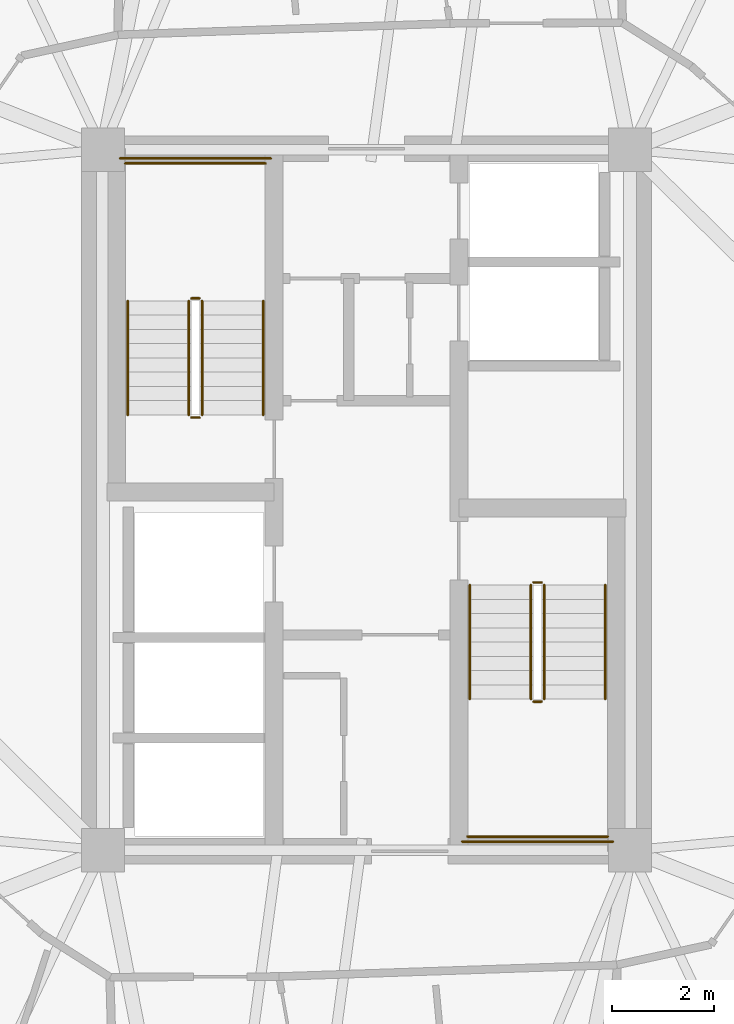
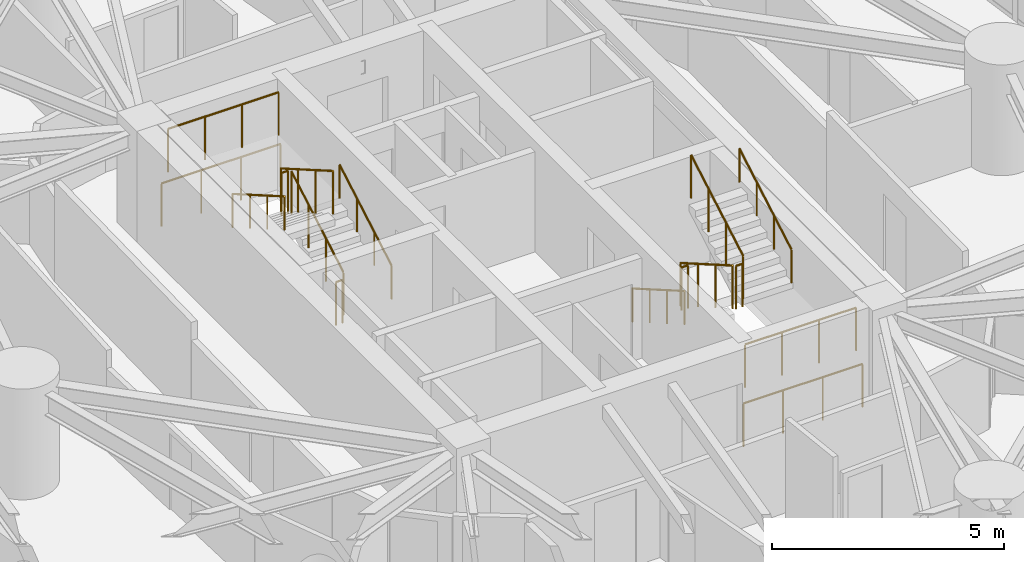
# One storey, part 17 of 18: 16 railings.
"""IFC4 building model written with IfcOpenShell, lengths in metres."""

import ifcopenshell
import ifcopenshell.guid

model = None  # the IFC model being written
_history = None  # IfcOwnerHistory: only IFC2X3 demands one
_inside = {}  # id of a spatial element -> (the spatial element, [elements in it])
_under = {}  # id of a project, library or spatial element -> (it, [spatial elements below it])
_declared = {}  # id of a project -> (the project, [libraries it declares])
_typed = {}  # id of a type object -> (the type object, [elements of that type])
_made_of = {}  # id of a material, layer set ... -> (it, [elements and type objects made of it])


def new_model(schema):
    """Start an empty IFC model of exactly this schema.

    Asked for "IFC4X3", IfcOpenShell would pick the latest addendum, in which some entities
    have other attributes; the version numbers below select the first issue.
    IFC2X3 requires an IfcOwnerHistory on every rooted entity: one is made here for all.
    """
    global model, _history
    if schema == "IFC4X3":
        model = ifcopenshell.file(schema_version=(4, 3, 0, 0))
    else:
        model = ifcopenshell.file(schema=schema)
    _inside.clear()
    _under.clear()
    _declared.clear()
    _typed.clear()
    _made_of.clear()
    _history = None
    if model.schema == "IFC2X3":
        org = make("IfcOrganization", Name="unknown")
        user = make(
            "IfcPersonAndOrganization",
            ThePerson=make("IfcPerson", FamilyName="unknown"),
            TheOrganization=org,
        )
        app = make(
            "IfcApplication",
            ApplicationDeveloper=org,
            Version="unknown",
            ApplicationFullName="unknown",
            ApplicationIdentifier="unknown",
        )
        _history = make(
            "IfcOwnerHistory",
            OwningUser=user,
            OwningApplication=app,
            ChangeAction="ADDED",
            CreationDate=0,
        )
    return model


def make(cls, **values):
    """One entity of the class cls with the attributes given. An attribute that is None is left unset."""
    return model.create_entity(
        cls, **{name: value for name, value in values.items() if value is not None}
    )


def rooted(cls, **values):
    """An entity with a GlobalId (a new one), such as an element, a storey or a relation."""
    return make(cls, GlobalId=ifcopenshell.guid.new(), OwnerHistory=_history, **values)


def si_unit(unit_type, name, prefix=None):
    """IfcSIUnit, for example si_unit("LENGTHUNIT", "METRE", prefix="MILLI")."""
    return make("IfcSIUnit", UnitType=unit_type, Prefix=prefix, Name=name)


def assignment(units):
    """IfcUnitAssignment: the units of a project."""
    return None if units is None else make("IfcUnitAssignment", Units=units)


def point(xyz):
    """IfcCartesianPoint."""
    return None if xyz is None else make("IfcCartesianPoint", Coordinates=xyz)


def direction(xyz):
    """IfcDirection."""
    return None if xyz is None else make("IfcDirection", DirectionRatios=xyz)


def frame(location, z_axis=None, x_axis=None):
    """IfcAxis2Placement3D, a coordinate frame: its origin and axes. An axis left out is left unset."""
    return make(
        "IfcAxis2Placement3D",
        Location=point(location),
        Axis=direction(z_axis),
        RefDirection=direction(x_axis),
    )


def frame_2d(location, x_axis=None):
    """IfcAxis2Placement2D, a coordinate frame in the plane: its origin and x axis."""
    return make(
        "IfcAxis2Placement2D", Location=point(location), RefDirection=direction(x_axis)
    )


def origin():
    """The frame at (0, 0, 0) with its axes left unset."""
    return frame((0.0, 0.0, 0.0))


def origin_2d():
    """The frame at (0, 0) in the plane with its x axis left unset."""
    return frame_2d((0.0, 0.0))


def place(relative_to, where):
    """IfcLocalPlacement: puts the frame where relative to a parent placement (None: the world)."""
    return make(
        "IfcLocalPlacement", PlacementRelTo=relative_to, RelativePlacement=where
    )


def context(
    kind, dimensions, precision=None, world=None, true_north=None, identifier=None
):
    """IfcGeometricRepresentationContext, for example the 3D "Model" context."""
    return make(
        "IfcGeometricRepresentationContext",
        ContextIdentifier=identifier,
        ContextType=kind,
        CoordinateSpaceDimension=dimensions,
        Precision=precision,
        WorldCoordinateSystem=world,
        TrueNorth=true_north,
    )


def subcontext(parent, identifier, kind, view, scale=None):
    """IfcGeometricRepresentationSubContext, for example "Body" below "Model"."""
    return make(
        "IfcGeometricRepresentationSubContext",
        ContextIdentifier=identifier,
        ContextType=kind,
        ParentContext=parent,
        TargetScale=scale,
        TargetView=view,
    )


def project(units=None, contexts=None):
    """IfcProject with its units and contexts."""
    return rooted(
        "IfcProject",
        Name="project",
        RepresentationContexts=contexts,
        UnitsInContext=assignment(units),
    )


def spatial(cls, under=None, at=None, **own):
    """A site, building, storey or space (cls), placed at a placement, below another one or the project."""
    s = rooted(cls, ObjectPlacement=at, **own)
    if under is not None:
        _under.setdefault(under.id(), (under, []))[1].append(s)
    return s


def profile(cls, at=None, kind="AREA", **sizes):
    """A parametric profile (cls). Its sizes go by their IFC names, for example OverallWidth=200.0."""
    return make(cls, ProfileType=kind, Position=at, **sizes)


def circle(**sizes):
    """IfcCircleProfileDef."""
    return profile("IfcCircleProfileDef", **sizes)


def extrude(swept, where, along, depth):
    """IfcExtrudedAreaSolid: the profile swept, set in the frame where, extruded along a direction by depth."""
    return make(
        "IfcExtrudedAreaSolid",
        SweptArea=swept,
        Position=where,
        ExtrudedDirection=direction(along),
        Depth=depth,
    )


def shape(context_of_items, identifier, shape_type, items):
    """IfcShapeRepresentation: the items that make up one representation, for example the "Body"."""
    return make(
        "IfcShapeRepresentation",
        ContextOfItems=context_of_items,
        RepresentationIdentifier=identifier,
        RepresentationType=shape_type,
        Items=items,
    )


def material(Name=None, Category=None):
    """IfcMaterial."""
    return make("IfcMaterial", Name=Name, Category=Category)


def made_of(thing, what):
    """Note that an element or type object is made of a material, layer set ...; save() writes the relation."""
    if what is not None:
        _made_of.setdefault(what.id(), (what, []))[1].append(thing)
    return thing


def type_object(cls, material=None, **own):
    """A type object (cls), such as IfcWallType, which elements share."""
    return made_of(rooted(cls, **own), material)


def element(
    cls,
    number,
    at=None,
    inside=None,
    cuts=None,
    type_object=None,
    material=None,
    context=None,
    identifier="Body",
    shape_type=None,
    held_by="IfcProductDefinitionShape",
    body=None,
    shapes=None,
    **own,
):
    """One element of the class cls, such as IfcWall. Its Tag is "e" and its number.

    at: its placement. inside: the storey or other place that contains it. cuts: it is an
    opening in that element (IfcRelVoidsElement). A single representation is given by context,
    identifier, shape_type and body (its items); several are given by shapes. held_by: the class
    of the entity that holds the representations. save() writes the other relations.
    """
    e = rooted(cls, Tag="e%d" % number, ObjectPlacement=at, **own)
    if body is not None:
        shapes = [shape(context, identifier, shape_type, body)]
    if shapes is not None:
        e.Representation = make(held_by, Representations=shapes)
    if inside is not None:
        _inside.setdefault(inside.id(), (inside, []))[1].append(e)
    if cuts is not None:
        rooted(
            "IfcRelVoidsElement", RelatingBuildingElement=cuts, RelatedOpeningElement=e
        )
    if type_object is not None:
        _typed.setdefault(type_object.id(), (type_object, []))[1].append(e)
    return made_of(e, material)


def aggregate(whole, parts):
    """IfcRelAggregates: a whole, such as a stair, and the parts it consists of."""
    return rooted("IfcRelAggregates", RelatingObject=whole, RelatedObjects=parts)


def save(model, path):
    """Write the relations noted so far, then the file.

    IfcRelAggregates (storeys below a building ...), IfcRelContainedInSpatialStructure (elements
    in a storey), IfcRelDefinesByType, IfcRelAssociatesMaterial and IfcRelDeclares: one each for
    every whole, place, type object, material and project.
    """
    for whole, parts in _under.values():
        aggregate(whole, parts)
    for where, things in _inside.values():
        rooted(
            "IfcRelContainedInSpatialStructure",
            RelatedElements=things,
            RelatingStructure=where,
        )
    for kind, things in _typed.values():
        rooted("IfcRelDefinesByType", RelatedObjects=things, RelatingType=kind)
    for what, things in _made_of.values():
        rooted("IfcRelAssociatesMaterial", RelatedObjects=things, RelatingMaterial=what)
    for by, libraries in _declared.values():
        rooted("IfcRelDeclares", RelatingContext=by, RelatedDefinitions=libraries)
    model.write(path)


model = new_model("IFC4")

# Units and contexts
model_context = context("Model", 3, precision=1e-05, world=origin(), true_north=direction((0.0, 1.0)))
body_context = subcontext(model_context, "Body", "Model", "MODEL_VIEW")
ifc_project = project(units=[si_unit("LENGTHUNIT", "METRE"), si_unit("AREAUNIT", "SQUARE_METRE"), si_unit("VOLUMEUNIT", "CUBIC_METRE"), si_unit("PLANEANGLEUNIT", "RADIAN"), si_unit("MASSUNIT", "GRAM", prefix="KILO")], contexts=[model_context])

# Site, building, storey
site_placement = place(None, origin())
site = spatial("IfcSite", under=ifc_project, at=site_placement, CompositionType="ELEMENT")
building_placement = place(site_placement, origin())
building = spatial("IfcBuilding", under=site, at=building_placement, Name="Cununo Teusaquillo Station Towers", CompositionType="ELEMENT")
storey_placement = place(building_placement, frame((0.0, 0.0, 45.280029296875)))
storey = spatial("IfcBuildingStorey", under=building, at=storey_placement, Name="L13", CompositionType="ELEMENT", Elevation=45.280029296875)

# Railings
ifc_material_1 = material(Name="Steel EN 10025-2 S355J2", Category="steel")
railing_type_1 = type_object("IfcRailingType", Name="RL-INT-GUARD", PredefinedType="GUARDRAIL", material=ifc_material_1)
railing_1_placement = place(storey_placement, frame((13.27001953125, 26.169921875, 0.16162109375)))
element("IfcRailing", 1, at=railing_1_placement, inside=storey, type_object=railing_type_1, Name="L13 ST-T1-1 stair guard 1", PredefinedType="GUARDRAIL", context=body_context, shape_type="SweptSolid", body=[
    extrude(circle(Radius=0.02392578125, at=origin_2d()), frame((0.0, 0.0, 1.1259765625), z_axis=(0.0, 0.865992244559, 0.500057429065), x_axis=(-1.0, 0.0, 0.0)), (0.0, 0.0, 1.0), 2.586669921875),
    extrude(circle(Radius=0.02099609375, at=origin_2d()), origin(), (0.0, 0.0, 1.0), 1.101806640625),
    extrude(circle(Radius=0.02099609375, at=origin_2d()), frame((0.0, 0.74658203125, 0.43115234375)), (0.0, 0.0, 1.0), 1.101806640625),
    extrude(circle(Radius=0.02099609375, at=origin_2d()), frame((0.0, 1.493408203125, 0.8623046875)), (0.0, 0.0, 1.0), 1.101806640625),
    extrude(circle(Radius=0.02099609375, at=origin_2d()), frame((0.0, 2.239990234375, 1.29345703125)), (0.0, 0.0, 1.0), 1.101806640625),
])
railing_2_placement = place(storey_placement, frame((13.219970703125, 28.4599609375, 1.455078125)))
element("IfcRailing", 2, at=railing_2_placement, inside=storey, type_object=railing_type_1, Name="L13 ST-T1-1 stair guard 2", PredefinedType="GUARDRAIL", context=body_context, shape_type="SweptSolid", body=[
    extrude(circle(Radius=0.02392578125, at=origin_2d()), frame((0.0, 0.0, 1.1259765625), z_axis=(-1.0, 0.0, 0.0), x_axis=(0.0, -1.0, 0.0)), (0.0, 0.0, 1.0), 0.159912109375),
    extrude(circle(Radius=0.02099609375, at=origin_2d()), origin(), (0.0, 0.0, 1.0), 1.101806640625),
    extrude(circle(Radius=0.02099609375, at=origin_2d()), frame((-0.159912109375, 0.0, 0.0)), (0.0, 0.0, 1.0), 1.101806640625),
])
railing_3_placement = place(storey_placement, frame((14.52001953125, 31.110107421875, 1.455078125)))
element("IfcRailing", 3, at=railing_3_placement, inside=storey, type_object=railing_type_1, Name="L13 ST-T1-1 stair guard 3", PredefinedType="GUARDRAIL", context=body_context, shape_type="SweptSolid", body=[
    extrude(circle(Radius=0.02392578125, at=origin_2d()), frame((0.0, 0.0, 1.1259765625), z_axis=(-1.0, 0.0, 0.0), x_axis=(0.0, -1.0, 0.0)), (0.0, 0.0, 1.0), 2.760009765625),
    extrude(circle(Radius=0.02099609375, at=origin_2d()), origin(), (0.0, 0.0, 1.0), 1.101806640625),
    extrude(circle(Radius=0.02099609375, at=origin_2d()), frame((-0.919921875, 0.0, 0.0)), (0.0, 0.0, 1.0), 1.101806640625),
    extrude(circle(Radius=0.02099609375, at=origin_2d()), frame((-1.840087890625, 0.0, 0.0)), (0.0, 0.0, 1.0), 1.101806640625),
    extrude(circle(Radius=0.02099609375, at=origin_2d()), frame((-2.760009765625, 0.0, 0.0)), (0.0, 0.0, 1.0), 1.101806640625),
])
railing_4_placement = place(storey_placement, frame((13.010009765625, 28.409912109375, 1.61669921875)))
element("IfcRailing", 4, at=railing_4_placement, inside=storey, type_object=railing_type_1, Name="L13 ST-T1-1 stair guard 4", PredefinedType="GUARDRAIL", context=body_context, shape_type="SweptSolid", body=[
    extrude(circle(Radius=0.02392578125, at=origin_2d()), frame((0.0, 0.0, 1.1259765625), z_axis=(0.0, -0.866033117094, 0.499986639918), x_axis=(1.0, 0.0, 0.0)), (0.0, 0.0, 1.0), 2.58642578125),
    extrude(circle(Radius=0.02099609375, at=origin_2d()), origin(), (0.0, 0.0, 1.0), 1.101806640625),
    extrude(circle(Radius=0.02099609375, at=origin_2d()), frame((0.0, -0.74658203125, 0.43115234375)), (0.0, 0.0, 1.0), 1.101806640625),
    extrude(circle(Radius=0.02099609375, at=origin_2d()), frame((0.0, -1.493408203125, 0.862060546875)), (0.0, 0.0, 1.0), 1.101806640625),
    extrude(circle(Radius=0.02099609375, at=origin_2d()), frame((0.0, -2.239990234375, 1.293212890625)), (0.0, 0.0, 1.0), 1.101806640625),
])
railing_5_placement = place(storey_placement, frame((13.219970703125, 26.1201171875, 0.0)))
element("IfcRailing", 5, at=railing_5_placement, inside=storey, type_object=railing_type_1, Name="L13 ST-T1-1 stair guard 5", PredefinedType="GUARDRAIL", context=body_context, shape_type="SweptSolid", body=[
    extrude(circle(Radius=0.02392578125, at=origin_2d()), frame((0.0, 0.0, 1.1259765625), z_axis=(-1.0, 0.0, 0.0), x_axis=(0.0, -1.0, 0.0)), (0.0, 0.0, 1.0), 0.159912109375),
    extrude(circle(Radius=0.02099609375, at=origin_2d()), origin(), (0.0, 0.0, 1.0), 1.101806640625),
    extrude(circle(Radius=0.02099609375, at=origin_2d()), frame((-0.159912109375, 0.0, 0.0)), (0.0, 0.0, 1.0), 1.101806640625),
])
railing_6_placement = place(storey_placement, frame((14.6201171875, 31.2099609375, 0.0)))
element("IfcRailing", 6, at=railing_6_placement, inside=storey, type_object=railing_type_1, Name="L13 ST-T1-1 stair guard 6", PredefinedType="GUARDRAIL", context=body_context, shape_type="SweptSolid", body=[
    extrude(circle(Radius=0.02392578125, at=origin_2d()), frame((0.0, 0.0, 1.1259765625), z_axis=(-1.0, 0.0, 0.0), x_axis=(0.0, -1.0, 0.0)), (0.0, 0.0, 1.0), 2.960205078125),
    extrude(circle(Radius=0.02099609375, at=origin_2d()), origin(), (0.0, 0.0, 1.0), 1.101806640625),
    extrude(circle(Radius=0.02099609375, at=origin_2d()), frame((-0.98681640625, 0.0, 0.0)), (0.0, 0.0, 1.0), 1.101806640625),
    extrude(circle(Radius=0.02099609375, at=origin_2d()), frame((-1.973388671875, 0.0, 0.0)), (0.0, 0.0, 1.0), 1.101806640625),
    extrude(circle(Radius=0.02099609375, at=origin_2d()), frame((-2.960205078125, 0.0, 0.0)), (0.0, 0.0, 1.0), 1.101806640625),
])
railing_7_placement = place(storey_placement, frame((19.72998046875, 22.830078125, 0.16162109375)))
element("IfcRailing", 7, at=railing_7_placement, inside=storey, type_object=railing_type_1, Name="L13 ST-T1-2 stair guard 1", PredefinedType="GUARDRAIL", context=body_context, shape_type="SweptSolid", body=[
    extrude(circle(Radius=0.02392578125, at=origin_2d()), frame((0.0, 0.0, 1.1259765625), z_axis=(0.0, -0.865992244559, 0.500057429065), x_axis=(1.0, 0.0, 0.0)), (0.0, 0.0, 1.0), 2.586669921875),
    extrude(circle(Radius=0.02099609375, at=origin_2d()), origin(), (0.0, 0.0, 1.0), 1.101806640625),
    extrude(circle(Radius=0.02099609375, at=origin_2d()), frame((0.0, -0.74658203125, 0.43115234375)), (0.0, 0.0, 1.0), 1.101806640625),
    extrude(circle(Radius=0.02099609375, at=origin_2d()), frame((0.0, -1.493408203125, 0.8623046875)), (0.0, 0.0, 1.0), 1.101806640625),
    extrude(circle(Radius=0.02099609375, at=origin_2d()), frame((0.0, -2.239990234375, 1.29345703125)), (0.0, 0.0, 1.0), 1.101806640625),
])
railing_8_placement = place(storey_placement, frame((19.780029296875, 20.5400390625, 1.455078125)))
element("IfcRailing", 8, at=railing_8_placement, inside=storey, type_object=railing_type_1, Name="L13 ST-T1-2 stair guard 2", PredefinedType="GUARDRAIL", context=body_context, shape_type="SweptSolid", body=[
    extrude(circle(Radius=0.02392578125, at=origin_2d()), frame((0.0, 0.0, 1.1259765625), z_axis=(1.0, 0.0, 0.0), x_axis=(0.0, 1.0, 0.0)), (0.0, 0.0, 1.0), 0.159912109375),
    extrude(circle(Radius=0.02099609375, at=origin_2d()), origin(), (0.0, 0.0, 1.0), 1.101806640625),
    extrude(circle(Radius=0.02099609375, at=origin_2d()), frame((0.159912109375, 0.0, 0.0)), (0.0, 0.0, 1.0), 1.101806640625),
])
railing_9_placement = place(storey_placement, frame((18.47998046875, 17.889892578125, 1.455078125)))
element("IfcRailing", 9, at=railing_9_placement, inside=storey, type_object=railing_type_1, Name="L13 ST-T1-2 stair guard 3", PredefinedType="GUARDRAIL", context=body_context, shape_type="SweptSolid", body=[
    extrude(circle(Radius=0.02392578125, at=origin_2d()), frame((0.0, 0.0, 1.1259765625), z_axis=(1.0, 0.0, 0.0), x_axis=(0.0, 1.0, 0.0)), (0.0, 0.0, 1.0), 2.760009765625),
    extrude(circle(Radius=0.02099609375, at=origin_2d()), origin(), (0.0, 0.0, 1.0), 1.101806640625),
    extrude(circle(Radius=0.02099609375, at=origin_2d()), frame((0.919921875, 0.0, 0.0)), (0.0, 0.0, 1.0), 1.101806640625),
    extrude(circle(Radius=0.02099609375, at=origin_2d()), frame((1.840087890625, 0.0, 0.0)), (0.0, 0.0, 1.0), 1.101806640625),
    extrude(circle(Radius=0.02099609375, at=origin_2d()), frame((2.760009765625, 0.0, 0.0)), (0.0, 0.0, 1.0), 1.101806640625),
])
railing_10_placement = place(storey_placement, frame((19.989990234375, 20.590087890625, 1.61669921875)))
element("IfcRailing", 10, at=railing_10_placement, inside=storey, type_object=railing_type_1, Name="L13 ST-T1-2 stair guard 4", PredefinedType="GUARDRAIL", context=body_context, shape_type="SweptSolid", body=[
    extrude(circle(Radius=0.02392578125, at=origin_2d()), frame((0.0, 0.0, 1.1259765625), z_axis=(0.0, 0.866033117094, 0.499986639918), x_axis=(-1.0, 0.0, 0.0)), (0.0, 0.0, 1.0), 2.58642578125),
    extrude(circle(Radius=0.02099609375, at=origin_2d()), origin(), (0.0, 0.0, 1.0), 1.101806640625),
    extrude(circle(Radius=0.02099609375, at=origin_2d()), frame((0.0, 0.74658203125, 0.43115234375)), (0.0, 0.0, 1.0), 1.101806640625),
    extrude(circle(Radius=0.02099609375, at=origin_2d()), frame((0.0, 1.493408203125, 0.862060546875)), (0.0, 0.0, 1.0), 1.101806640625),
    extrude(circle(Radius=0.02099609375, at=origin_2d()), frame((0.0, 2.239990234375, 1.293212890625)), (0.0, 0.0, 1.0), 1.101806640625),
])
railing_11_placement = place(storey_placement, frame((19.780029296875, 22.8798828125, 0.0)))
element("IfcRailing", 11, at=railing_11_placement, inside=storey, type_object=railing_type_1, Name="L13 ST-T1-2 stair guard 5", PredefinedType="GUARDRAIL", context=body_context, shape_type="SweptSolid", body=[
    extrude(circle(Radius=0.02392578125, at=origin_2d()), frame((0.0, 0.0, 1.1259765625), z_axis=(1.0, 0.0, 0.0), x_axis=(0.0, 1.0, 0.0)), (0.0, 0.0, 1.0), 0.159912109375),
    extrude(circle(Radius=0.02099609375, at=origin_2d()), origin(), (0.0, 0.0, 1.0), 1.101806640625),
    extrude(circle(Radius=0.02099609375, at=origin_2d()), frame((0.159912109375, 0.0, 0.0)), (0.0, 0.0, 1.0), 1.101806640625),
])
railing_12_placement = place(storey_placement, frame((18.3798828125, 17.7900390625, 0.0)))
element("IfcRailing", 12, at=railing_12_placement, inside=storey, type_object=railing_type_1, Name="L13 ST-T1-2 stair guard 6", PredefinedType="GUARDRAIL", context=body_context, shape_type="SweptSolid", body=[
    extrude(circle(Radius=0.02392578125, at=origin_2d()), frame((0.0, 0.0, 1.1259765625), z_axis=(1.0, 0.0, 0.0), x_axis=(0.0, 1.0, 0.0)), (0.0, 0.0, 1.0), 2.960205078125),
    extrude(circle(Radius=0.02099609375, at=origin_2d()), origin(), (0.0, 0.0, 1.0), 1.101806640625),
    extrude(circle(Radius=0.02099609375, at=origin_2d()), frame((0.98681640625, 0.0, 0.0)), (0.0, 0.0, 1.0), 1.101806640625),
    extrude(circle(Radius=0.02099609375, at=origin_2d()), frame((1.973388671875, 0.0, 0.0)), (0.0, 0.0, 1.0), 1.101806640625),
    extrude(circle(Radius=0.02099609375, at=origin_2d()), frame((2.960205078125, 0.0, 0.0)), (0.0, 0.0, 1.0), 1.101806640625),
])
ifc_material_2 = material(Name="Steel EN 10025-2 S355J2", Category="steel")
railing_type_2 = type_object("IfcRailingType", Name="RL-INT-HRAIL", PredefinedType="HANDRAIL", material=ifc_material_2)
railing_13_placement = place(storey_placement, frame((14.469970703125, 26.169921875, 0.16162109375)))
element("IfcRailing", 13, at=railing_13_placement, inside=storey, type_object=railing_type_2, Name="L13 ST-T1-1 stair handrail 1", PredefinedType="HANDRAIL", context=body_context, shape_type="SweptSolid", body=[
    extrude(circle(Radius=0.02392578125, at=origin_2d()), frame((0.0, 0.0, 0.8759765625), z_axis=(0.0, 0.865992244559, 0.500057429065), x_axis=(-1.0, 0.0, 0.0)), (0.0, 0.0, 1.0), 2.586669921875),
    extrude(circle(Radius=0.02099609375, at=origin_2d()), origin(), (0.0, 0.0, 1.0), 0.851806640625),
    extrude(circle(Radius=0.02099609375, at=origin_2d()), frame((0.0, 0.74658203125, 0.43115234375)), (0.0, 0.0, 1.0), 0.851806640625),
    extrude(circle(Radius=0.02099609375, at=origin_2d()), frame((0.0, 1.493408203125, 0.8623046875)), (0.0, 0.0, 1.0), 0.851806640625),
    extrude(circle(Radius=0.02099609375, at=origin_2d()), frame((0.0, 2.239990234375, 1.29345703125)), (0.0, 0.0, 1.0), 0.851806640625),
])
railing_14_placement = place(storey_placement, frame((11.81005859375, 28.409912109375, 1.61669921875)))
element("IfcRailing", 14, at=railing_14_placement, inside=storey, type_object=railing_type_2, Name="L13 ST-T1-1 stair handrail 2", PredefinedType="HANDRAIL", context=body_context, shape_type="SweptSolid", body=[
    extrude(circle(Radius=0.02392578125, at=origin_2d()), frame((0.0, 0.0, 0.8759765625), z_axis=(0.0, -0.866033117094, 0.499986639918), x_axis=(1.0, 0.0, 0.0)), (0.0, 0.0, 1.0), 2.58642578125),
    extrude(circle(Radius=0.02099609375, at=origin_2d()), origin(), (0.0, 0.0, 1.0), 0.851806640625),
    extrude(circle(Radius=0.02099609375, at=origin_2d()), frame((0.0, -0.74658203125, 0.43115234375)), (0.0, 0.0, 1.0), 0.851806640625),
    extrude(circle(Radius=0.02099609375, at=origin_2d()), frame((0.0, -1.493408203125, 0.862060546875)), (0.0, 0.0, 1.0), 0.851806640625),
    extrude(circle(Radius=0.02099609375, at=origin_2d()), frame((0.0, -2.239990234375, 1.293212890625)), (0.0, 0.0, 1.0), 0.851806640625),
])
railing_15_placement = place(storey_placement, frame((18.530029296875, 22.830078125, 0.16162109375)))
element("IfcRailing", 15, at=railing_15_placement, inside=storey, type_object=railing_type_2, Name="L13 ST-T1-2 stair handrail 1", PredefinedType="HANDRAIL", context=body_context, shape_type="SweptSolid", body=[
    extrude(circle(Radius=0.02392578125, at=origin_2d()), frame((0.0, 0.0, 0.8759765625), z_axis=(0.0, -0.865992244559, 0.500057429065), x_axis=(1.0, 0.0, 0.0)), (0.0, 0.0, 1.0), 2.586669921875),
    extrude(circle(Radius=0.02099609375, at=origin_2d()), origin(), (0.0, 0.0, 1.0), 0.851806640625),
    extrude(circle(Radius=0.02099609375, at=origin_2d()), frame((0.0, -0.74658203125, 0.43115234375)), (0.0, 0.0, 1.0), 0.851806640625),
    extrude(circle(Radius=0.02099609375, at=origin_2d()), frame((0.0, -1.493408203125, 0.8623046875)), (0.0, 0.0, 1.0), 0.851806640625),
    extrude(circle(Radius=0.02099609375, at=origin_2d()), frame((0.0, -2.239990234375, 1.29345703125)), (0.0, 0.0, 1.0), 0.851806640625),
])
railing_16_placement = place(storey_placement, frame((21.18994140625, 20.590087890625, 1.61669921875)))
element("IfcRailing", 16, at=railing_16_placement, inside=storey, type_object=railing_type_2, Name="L13 ST-T1-2 stair handrail 2", PredefinedType="HANDRAIL", context=body_context, shape_type="SweptSolid", body=[
    extrude(circle(Radius=0.02392578125, at=origin_2d()), frame((0.0, 0.0, 0.8759765625), z_axis=(0.0, 0.866033117094, 0.499986639918), x_axis=(-1.0, 0.0, 0.0)), (0.0, 0.0, 1.0), 2.58642578125),
    extrude(circle(Radius=0.02099609375, at=origin_2d()), origin(), (0.0, 0.0, 1.0), 0.851806640625),
    extrude(circle(Radius=0.02099609375, at=origin_2d()), frame((0.0, 0.74658203125, 0.43115234375)), (0.0, 0.0, 1.0), 0.851806640625),
    extrude(circle(Radius=0.02099609375, at=origin_2d()), frame((0.0, 1.493408203125, 0.862060546875)), (0.0, 0.0, 1.0), 0.851806640625),
    extrude(circle(Radius=0.02099609375, at=origin_2d()), frame((0.0, 2.239990234375, 1.293212890625)), (0.0, 0.0, 1.0), 0.851806640625),
])

save(model, "model.ifc")
